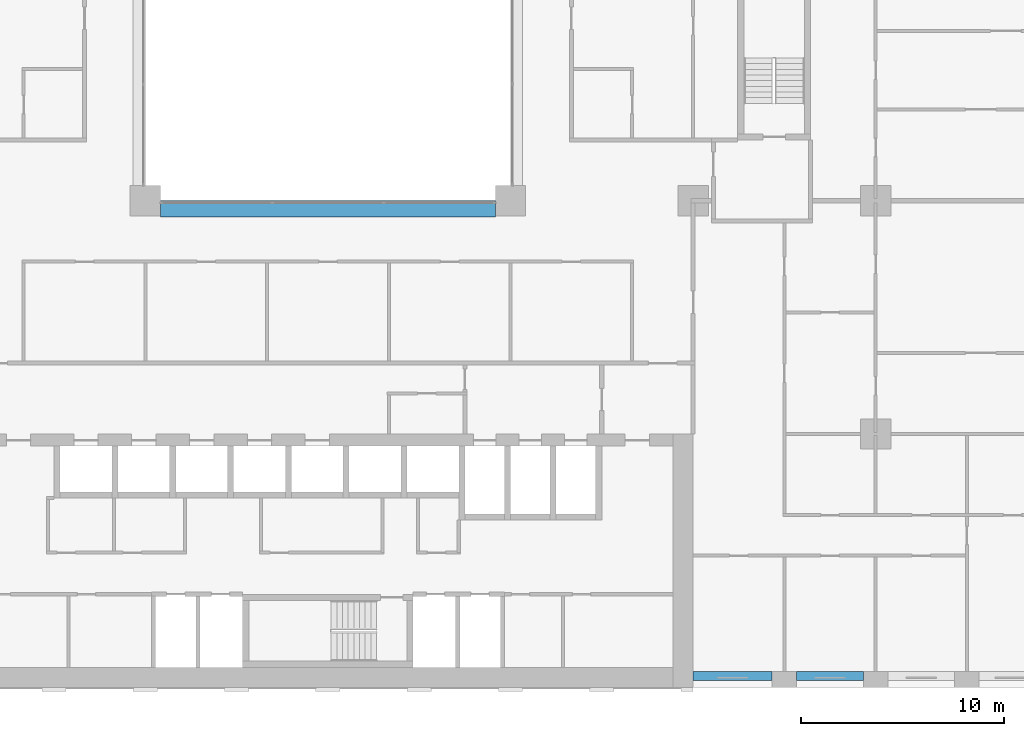
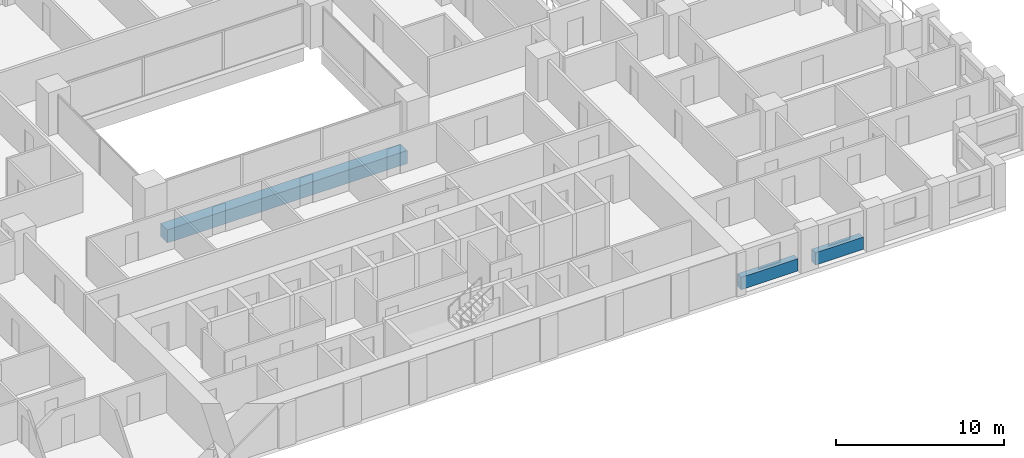
# One storey, part 3 of 19: 3 beams.
"""IFC4 building model written with IfcOpenShell, lengths in metres."""

import ifcopenshell
import ifcopenshell.guid

model = None  # the IFC model being written
_history = None  # IfcOwnerHistory: only IFC2X3 demands one
_inside = {}  # id of a spatial element -> (the spatial element, [elements in it])
_under = {}  # id of a project, library or spatial element -> (it, [spatial elements below it])
_declared = {}  # id of a project -> (the project, [libraries it declares])
_typed = {}  # id of a type object -> (the type object, [elements of that type])
_made_of = {}  # id of a material, layer set ... -> (it, [elements and type objects made of it])


def new_model(schema):
    """Start an empty IFC model of exactly this schema.

    Asked for "IFC4X3", IfcOpenShell would pick the latest addendum, in which some entities
    have other attributes; the version numbers below select the first issue.
    IFC2X3 requires an IfcOwnerHistory on every rooted entity: one is made here for all.
    """
    global model, _history
    if schema == "IFC4X3":
        model = ifcopenshell.file(schema_version=(4, 3, 0, 0))
    else:
        model = ifcopenshell.file(schema=schema)
    _inside.clear()
    _under.clear()
    _declared.clear()
    _typed.clear()
    _made_of.clear()
    _history = None
    if model.schema == "IFC2X3":
        org = make("IfcOrganization", Name="unknown")
        user = make(
            "IfcPersonAndOrganization",
            ThePerson=make("IfcPerson", FamilyName="unknown"),
            TheOrganization=org,
        )
        app = make(
            "IfcApplication",
            ApplicationDeveloper=org,
            Version="unknown",
            ApplicationFullName="unknown",
            ApplicationIdentifier="unknown",
        )
        _history = make(
            "IfcOwnerHistory",
            OwningUser=user,
            OwningApplication=app,
            ChangeAction="ADDED",
            CreationDate=0,
        )
    return model


def make(cls, **values):
    """One entity of the class cls with the attributes given. An attribute that is None is left unset."""
    return model.create_entity(
        cls, **{name: value for name, value in values.items() if value is not None}
    )


def rooted(cls, **values):
    """An entity with a GlobalId (a new one), such as an element, a storey or a relation."""
    return make(cls, GlobalId=ifcopenshell.guid.new(), OwnerHistory=_history, **values)


def si_unit(unit_type, name, prefix=None):
    """IfcSIUnit, for example si_unit("LENGTHUNIT", "METRE", prefix="MILLI")."""
    return make("IfcSIUnit", UnitType=unit_type, Prefix=prefix, Name=name)


def assignment(units):
    """IfcUnitAssignment: the units of a project."""
    return None if units is None else make("IfcUnitAssignment", Units=units)


def point(xyz):
    """IfcCartesianPoint."""
    return None if xyz is None else make("IfcCartesianPoint", Coordinates=xyz)


def direction(xyz):
    """IfcDirection."""
    return None if xyz is None else make("IfcDirection", DirectionRatios=xyz)


def frame(location, z_axis=None, x_axis=None):
    """IfcAxis2Placement3D, a coordinate frame: its origin and axes. An axis left out is left unset."""
    return make(
        "IfcAxis2Placement3D",
        Location=point(location),
        Axis=direction(z_axis),
        RefDirection=direction(x_axis),
    )


def frame_2d(location, x_axis=None):
    """IfcAxis2Placement2D, a coordinate frame in the plane: its origin and x axis."""
    return make(
        "IfcAxis2Placement2D", Location=point(location), RefDirection=direction(x_axis)
    )


def origin():
    """The frame at (0, 0, 0) with its axes left unset."""
    return frame((0.0, 0.0, 0.0))


def origin_2d():
    """The frame at (0, 0) in the plane with its x axis left unset."""
    return frame_2d((0.0, 0.0))


def place(relative_to, where):
    """IfcLocalPlacement: puts the frame where relative to a parent placement (None: the world)."""
    return make(
        "IfcLocalPlacement", PlacementRelTo=relative_to, RelativePlacement=where
    )


def context(
    kind, dimensions, precision=None, world=None, true_north=None, identifier=None
):
    """IfcGeometricRepresentationContext, for example the 3D "Model" context."""
    return make(
        "IfcGeometricRepresentationContext",
        ContextIdentifier=identifier,
        ContextType=kind,
        CoordinateSpaceDimension=dimensions,
        Precision=precision,
        WorldCoordinateSystem=world,
        TrueNorth=true_north,
    )


def subcontext(parent, identifier, kind, view, scale=None):
    """IfcGeometricRepresentationSubContext, for example "Body" below "Model"."""
    return make(
        "IfcGeometricRepresentationSubContext",
        ContextIdentifier=identifier,
        ContextType=kind,
        ParentContext=parent,
        TargetScale=scale,
        TargetView=view,
    )


def project(units=None, contexts=None):
    """IfcProject with its units and contexts."""
    return rooted(
        "IfcProject",
        Name="project",
        RepresentationContexts=contexts,
        UnitsInContext=assignment(units),
    )


def spatial(cls, under=None, at=None, **own):
    """A site, building, storey or space (cls), placed at a placement, below another one or the project."""
    s = rooted(cls, ObjectPlacement=at, **own)
    if under is not None:
        _under.setdefault(under.id(), (under, []))[1].append(s)
    return s


def profile(cls, at=None, kind="AREA", **sizes):
    """A parametric profile (cls). Its sizes go by their IFC names, for example OverallWidth=200.0."""
    return make(cls, ProfileType=kind, Position=at, **sizes)


def rectangle(**sizes):
    """IfcRectangleProfileDef."""
    return profile("IfcRectangleProfileDef", **sizes)


def extrude(swept, where, along, depth):
    """IfcExtrudedAreaSolid: the profile swept, set in the frame where, extruded along a direction by depth."""
    return make(
        "IfcExtrudedAreaSolid",
        SweptArea=swept,
        Position=where,
        ExtrudedDirection=direction(along),
        Depth=depth,
    )


def shape(context_of_items, identifier, shape_type, items):
    """IfcShapeRepresentation: the items that make up one representation, for example the "Body"."""
    return make(
        "IfcShapeRepresentation",
        ContextOfItems=context_of_items,
        RepresentationIdentifier=identifier,
        RepresentationType=shape_type,
        Items=items,
    )


def material(Name=None, Category=None):
    """IfcMaterial."""
    return make("IfcMaterial", Name=Name, Category=Category)


def material_profile(
    of_material, cross_section, Name=None, Category=None, Priority=None
):
    """IfcMaterialProfile: a cross section and its material."""
    return make(
        "IfcMaterialProfile",
        Name=Name,
        Material=of_material,
        Profile=cross_section,
        Priority=Priority,
        Category=Category,
    )


def profile_set(profiles, Name=None, composite=None):
    """IfcMaterialProfileSet."""
    return make(
        "IfcMaterialProfileSet",
        Name=Name,
        MaterialProfiles=profiles,
        CompositeProfile=composite,
    )


def made_of(thing, what):
    """Note that an element or type object is made of a material, layer set ...; save() writes the relation."""
    if what is not None:
        _made_of.setdefault(what.id(), (what, []))[1].append(thing)
    return thing


def type_object(cls, material=None, **own):
    """A type object (cls), such as IfcWallType, which elements share."""
    return made_of(rooted(cls, **own), material)


def element(
    cls,
    number,
    at=None,
    inside=None,
    cuts=None,
    type_object=None,
    material=None,
    context=None,
    identifier="Body",
    shape_type=None,
    held_by="IfcProductDefinitionShape",
    body=None,
    shapes=None,
    **own,
):
    """One element of the class cls, such as IfcWall. Its Tag is "e" and its number.

    at: its placement. inside: the storey or other place that contains it. cuts: it is an
    opening in that element (IfcRelVoidsElement). A single representation is given by context,
    identifier, shape_type and body (its items); several are given by shapes. held_by: the class
    of the entity that holds the representations. save() writes the other relations.
    """
    e = rooted(cls, Tag="e%d" % number, ObjectPlacement=at, **own)
    if body is not None:
        shapes = [shape(context, identifier, shape_type, body)]
    if shapes is not None:
        e.Representation = make(held_by, Representations=shapes)
    if inside is not None:
        _inside.setdefault(inside.id(), (inside, []))[1].append(e)
    if cuts is not None:
        rooted(
            "IfcRelVoidsElement", RelatingBuildingElement=cuts, RelatedOpeningElement=e
        )
    if type_object is not None:
        _typed.setdefault(type_object.id(), (type_object, []))[1].append(e)
    return made_of(e, material)


def aggregate(whole, parts):
    """IfcRelAggregates: a whole, such as a stair, and the parts it consists of."""
    return rooted("IfcRelAggregates", RelatingObject=whole, RelatedObjects=parts)


def save(model, path):
    """Write the relations noted so far, then the file.

    IfcRelAggregates (storeys below a building ...), IfcRelContainedInSpatialStructure (elements
    in a storey), IfcRelDefinesByType, IfcRelAssociatesMaterial and IfcRelDeclares: one each for
    every whole, place, type object, material and project.
    """
    for whole, parts in _under.values():
        aggregate(whole, parts)
    for where, things in _inside.values():
        rooted(
            "IfcRelContainedInSpatialStructure",
            RelatedElements=things,
            RelatingStructure=where,
        )
    for kind, things in _typed.values():
        rooted("IfcRelDefinesByType", RelatedObjects=things, RelatingType=kind)
    for what, things in _made_of.values():
        rooted("IfcRelAssociatesMaterial", RelatedObjects=things, RelatingMaterial=what)
    for by, libraries in _declared.values():
        rooted("IfcRelDeclares", RelatingContext=by, RelatedDefinitions=libraries)
    model.write(path)


model = new_model("IFC4")

# Units and contexts
model_context = context("Model", 3, precision=1e-05, world=origin(), true_north=direction((0.0, 1.0)))
body_context = subcontext(model_context, "Body", "Model", "MODEL_VIEW")
ifc_project = project(units=[si_unit("LENGTHUNIT", "METRE"), si_unit("AREAUNIT", "SQUARE_METRE"), si_unit("VOLUMEUNIT", "CUBIC_METRE"), si_unit("PLANEANGLEUNIT", "RADIAN"), si_unit("MASSUNIT", "GRAM", prefix="KILO")], contexts=[model_context])

# Site, building, storey
site_placement = place(None, origin())
site = spatial("IfcSite", under=ifc_project, at=site_placement, CompositionType="ELEMENT")
building_placement = place(site_placement, origin())
building = spatial("IfcBuilding", under=site, at=building_placement, Name="Brigalow Station Residences", CompositionType="ELEMENT")
storey_placement = place(building_placement, frame((0.0, 0.0, 22.64990234375)))
storey = spatial("IfcBuildingStorey", under=building, at=storey_placement, Name="L05", CompositionType="ELEMENT", Elevation=22.64990234375)

# Beams
ifc_material_1 = material(Name="Concrete C65", Category="concrete")
ifc_material_profile_1 = material_profile(ifc_material_1, rectangle(XDim=0.800048828125, YDim=0.949951171875, at=origin_2d()), Name="RC800x950")
ifc_profile_set_1 = profile_set([ifc_material_profile_1], Name="Concrete C65")
beam_type_1 = type_object("IfcBeamType", Name="ATRIUM EDGE GIRDER OVER 13.5 M SPAN 800x950 C65", PredefinedType="BEAM", material=ifc_profile_set_1)
beam_1_placement = place(storey_placement, frame((27.75, 23.60009765625, -0.794921875), z_axis=(1.0, 0.0, 0.0), x_axis=(0.0, 1.0, 0.0)))
element("IfcBeam", 1, at=beam_1_placement, inside=storey, type_object=beam_type_1, Name="ATRIUM EDGE GIRDER C L05", PredefinedType="BEAM", context=body_context, shape_type="SweptSolid", body=[
    extrude(rectangle(XDim=0.800048828125, YDim=0.949951171875, at=origin_2d()), origin(), (0.0, 0.0, 1.0), 16.5),
])
ifc_material_2 = material(Name="Concrete C65", Category="concrete")
ifc_material_profile_2 = material_profile(ifc_material_2, rectangle(XDim=0.449951171875, YDim=0.89990234375, at=origin_2d()), Name="RC450x900")
ifc_profile_set_2 = profile_set([ifc_material_profile_2], Name="Concrete C65")
beam_type_2 = type_object("IfcBeamType", Name="SPANDREL BEAM 450x900 C65", PredefinedType="SPANDREL", material=ifc_profile_set_2)
beam_2_placement = place(storey_placement, frame((54.0, 0.574951171875, 0.4501953125), z_axis=(1.0, 0.0, 0.0), x_axis=(0.0, 1.0, 0.0)))
element("IfcBeam", 2, at=beam_2_placement, inside=storey, type_object=beam_type_2, Name="L05/spandrel/W-L05-5", PredefinedType="SPANDREL", context=body_context, shape_type="SweptSolid", body=[
    extrude(rectangle(XDim=0.449951171875, YDim=0.89990234375, at=origin_2d()), origin(), (0.0, 0.0, 1.0), 3.89990234375),
])
beam_3_placement = place(storey_placement, frame((59.10009765625, 0.574951171875, 0.4501953125), z_axis=(1.0, 0.0, 0.0), x_axis=(0.0, 1.0, 0.0)))
element("IfcBeam", 3, at=beam_3_placement, inside=storey, type_object=beam_type_2, Name="L05/spandrel/W-L05-6", PredefinedType="SPANDREL", context=body_context, shape_type="SweptSolid", body=[
    extrude(rectangle(XDim=0.449951171875, YDim=0.89990234375, at=origin_2d()), origin(), (0.0, 0.0, 1.0), 3.2998046875),
])

save(model, "model.ifc")
